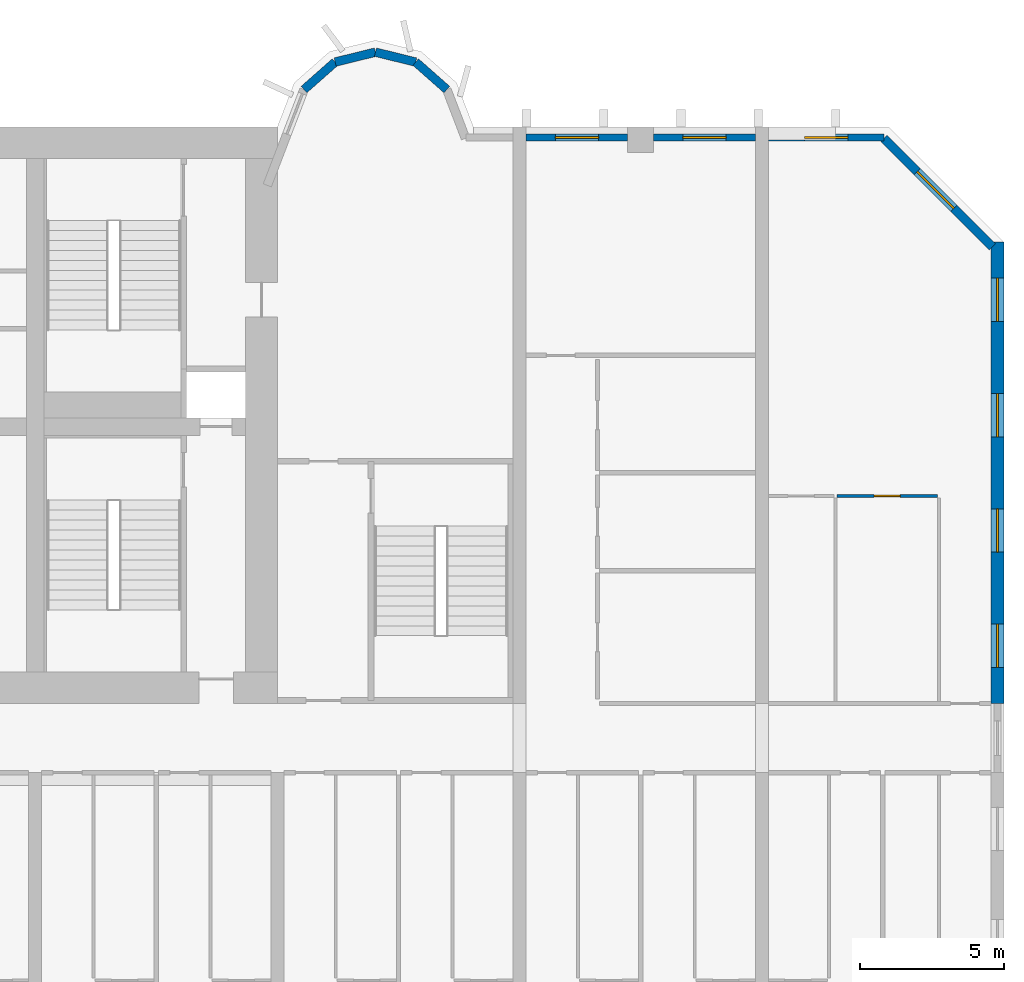
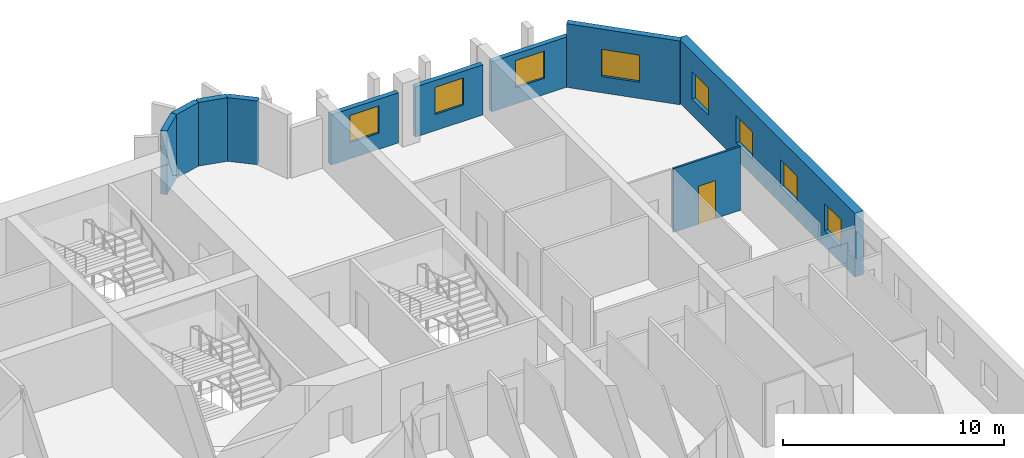
# One storey, part 11 of 15: 10 walls, 8 windows, 1 door, 9 openings.
"""IFC4 building model written with IfcOpenShell, lengths in metres."""

from ifc_helpers import new_model, si_unit, direction, frame, frame_2d, origin, place, context, subcontext, project, spatial, rectangle, extrude, source, transform, mapped, material, layer, layer_set, type_object, element, fill, save


model = new_model("IFC4")

# Units and contexts
model_context = context("Model", 3, precision=1e-05, world=origin(), true_north=direction((0.0, 1.0)))
body_context = subcontext(model_context, "Body", "Model", "MODEL_VIEW")
ifc_project = project(units=[si_unit("LENGTHUNIT", "METRE"), si_unit("AREAUNIT", "SQUARE_METRE"), si_unit("VOLUMEUNIT", "CUBIC_METRE"), si_unit("PLANEANGLEUNIT", "RADIAN"), si_unit("MASSUNIT", "GRAM", prefix="KILO")], contexts=[model_context])

# Site, building, storey
site_placement = place(None, origin())
site = spatial("IfcSite", under=ifc_project, at=site_placement, CompositionType="ELEMENT")
building_placement = place(site_placement, origin())
building = spatial("IfcBuilding", under=site, at=building_placement, Name="Vanashikhar Sky Hotel", CompositionType="ELEMENT")
storey_placement = place(building_placement, frame((0.0, 0.0, 31.60009765625)))
storey = spatial("IfcBuildingStorey", under=building, at=storey_placement, Name="L06", CompositionType="ELEMENT", Elevation=31.60009765625)

# Wall, openings, windows
ifc_material_1 = material(Name="Concrete M80", Category="concrete")
ifc_layer_1 = layer(ifc_material_1, 0.449951171875)
ifc_layer_set_1 = layer_set([ifc_layer_1], Name="RC shear wall 450 Concrete M80")
wall_type_1 = type_object("IfcWallType", Name="RC shear wall 450 Concrete M80", PredefinedType="SHEAR", material=ifc_layer_set_1)
shared_shape_1 = source(origin(), body_context, "Body", "SweptSolid", [
    extrude(rectangle(XDim=16.0, YDim=0.449951171875, at=frame_2d((8.0, 0.0))), origin(), (0.0, 0.0, 1.0), 3.52001953125),
])
wall_1_placement = place(storey_placement, frame((100.574951171875, 22.0, 0.0), z_axis=(0.0, 0.0, 1.0), x_axis=(0.0, 1.0, 0.0)))
wall_1 = element("IfcWall", 1, at=wall_1_placement, inside=storey, type_object=wall_type_1, Name="CW-L06-XW13-2", PredefinedType="SHEAR", context=body_context, shape_type="MappedRepresentation", body=[
    mapped(shared_shape_1, transform((0.0, 0.0, 0.0), scale=1.0)),
])
shared_shape_2 = source(origin(), body_context, "Body", "SweptSolid", [
    extrude(rectangle(XDim=1.5, YDim=1.5, at=frame_2d((0.75, 0.75))), frame((0.0, 0.23486328125, 0.0), z_axis=(0.0, -1.0, 0.0), x_axis=(1.0, 0.0, 0.0)), (0.0, 0.0, 1.0), 0.469970703125),
])
opening_1_placement = place(wall_1_placement, frame((1.25, 0.0, 0.89990234375)))
opening_1 = element("IfcOpeningElement", 2, at=opening_1_placement, cuts=wall_1, Name="Opening WN-1", PredefinedType="OPENING", context=body_context, shape_type="MappedRepresentation", body=[
    mapped(shared_shape_2, transform((0.0, 0.0, 0.0), scale=1.0)),
])
opening_2_placement = place(wall_1_placement, frame((5.25, 0.0, 0.89990234375)))
opening_2 = element("IfcOpeningElement", 3, at=opening_2_placement, cuts=wall_1, Name="Opening WN-1", PredefinedType="OPENING", context=body_context, shape_type="MappedRepresentation", body=[
    mapped(shared_shape_2, transform((0.0, 0.0, 0.0), scale=1.0)),
])
opening_3_placement = place(wall_1_placement, frame((9.25, 0.0, 0.89990234375)))
opening_3 = element("IfcOpeningElement", 4, at=opening_3_placement, cuts=wall_1, Name="Opening WN-1", PredefinedType="OPENING", context=body_context, shape_type="MappedRepresentation", body=[
    mapped(shared_shape_2, transform((0.0, 0.0, 0.0), scale=1.0)),
])
opening_4_placement = place(wall_1_placement, frame((13.25, 0.0, 0.89990234375)))
opening_4 = element("IfcOpeningElement", 5, at=opening_4_placement, cuts=wall_1, Name="Opening WN-1", PredefinedType="OPENING", context=body_context, shape_type="MappedRepresentation", body=[
    mapped(shared_shape_2, transform((0.0, 0.0, 0.0), scale=1.0)),
])
ifc_material_2 = material(Name="Glass", Category="glass")
window_type_1 = type_object("IfcWindowType", Name="Window 1500 x 1500", PartitioningType="SINGLE_PANEL", PredefinedType="WINDOW", material=ifc_material_2)
shared_shape_3 = source(origin(), body_context, "Body", "SweptSolid", [
    extrude(rectangle(XDim=1.5, YDim=1.5, at=frame_2d((0.75, 0.75))), frame((0.0, 0.030029296875, 0.0), z_axis=(0.0, -1.0, 0.0), x_axis=(1.0, 0.0, 0.0)), (0.0, 0.0, 1.0), 0.06005859375),
])
window_1_placement = place(opening_1_placement, origin())
window_1 = element("IfcWindow", 6, at=window_1_placement, inside=storey, type_object=window_type_1, Name="Window WN-1", OverallHeight=1.5, OverallWidth=1.5, PartitioningType="SINGLE_PANEL", PredefinedType="WINDOW", context=body_context, shape_type="MappedRepresentation", body=[
    mapped(shared_shape_3, transform((0.0, 0.0, 0.0), scale=1.0)),
])
fill(opening_1, window_1)
window_2_placement = place(opening_2_placement, origin())
window_2 = element("IfcWindow", 7, at=window_2_placement, inside=storey, type_object=window_type_1, Name="Window WN-1", OverallHeight=1.5, OverallWidth=1.5, PartitioningType="SINGLE_PANEL", PredefinedType="WINDOW", context=body_context, shape_type="MappedRepresentation", body=[
    mapped(shared_shape_3, transform((0.0, 0.0, 0.0), scale=1.0)),
])
fill(opening_2, window_2)
window_3_placement = place(opening_3_placement, origin())
window_3 = element("IfcWindow", 8, at=window_3_placement, inside=storey, type_object=window_type_1, Name="Window WN-1", OverallHeight=1.5, OverallWidth=1.5, PartitioningType="SINGLE_PANEL", PredefinedType="WINDOW", context=body_context, shape_type="MappedRepresentation", body=[
    mapped(shared_shape_3, transform((0.0, 0.0, 0.0), scale=1.0)),
])
fill(opening_3, window_3)
window_4_placement = place(opening_4_placement, origin())
window_4 = element("IfcWindow", 9, at=window_4_placement, inside=storey, type_object=window_type_1, Name="Window WN-1", OverallHeight=1.5, OverallWidth=1.5, PartitioningType="SINGLE_PANEL", PredefinedType="WINDOW", context=body_context, shape_type="MappedRepresentation", body=[
    mapped(shared_shape_3, transform((0.0, 0.0, 0.0), scale=1.0)),
])
fill(opening_4, window_4)

# Wall, opening, window
ifc_material_3 = material(Name="Concrete M50", Category="concrete")
ifc_layer_2 = layer(ifc_material_3, 0.300048828125)
ifc_layer_set_2 = layer_set([ifc_layer_2], Name="Lobe wall 300")
wall_type_2 = type_object("IfcWallType", Name="Lobe wall 300", PredefinedType="SOLIDWALL", material=ifc_layer_set_2)
shared_shape_4 = source(origin(), body_context, "Body", "SweptSolid", [
    extrude(rectangle(XDim=5.32568359375, YDim=0.300048828125, at=frame_2d((2.662841796875, 0.0))), origin(), (0.0, 0.0, 1.0), 3.52001953125),
])
wall_2_placement = place(storey_placement, frame((100.39990234375, 37.834228515625, 0.0), z_axis=(0.0, 0.0, 1.0), x_axis=(-0.707083859269, 0.707129702361, 0.0)))
wall_2 = element("IfcWall", 10, at=wall_2_placement, inside=storey, type_object=wall_type_2, Name="Corner wall", PredefinedType="SOLIDWALL", context=body_context, shape_type="MappedRepresentation", body=[
    mapped(shared_shape_4, transform((0.0, 0.0, 0.0), scale=1.0)),
])
shared_shape_5 = source(origin(), body_context, "Body", "SweptSolid", [
    extrude(rectangle(XDim=1.800048828125, YDim=1.5, at=frame_2d((0.89990234375, 0.75))), frame((0.0, 0.16015625, 0.0), z_axis=(0.0, -1.0, 0.0), x_axis=(1.0, 0.0, 0.0)), (0.0, 0.0, 1.0), 0.320068359375),
])
opening_5_placement = place(wall_2_placement, frame((1.888916015625, 0.0, 0.89990234375)))
opening_5 = element("IfcOpeningElement", 11, at=opening_5_placement, cuts=wall_2, Name="Opening WN-4", PredefinedType="OPENING", context=body_context, shape_type="MappedRepresentation", body=[
    mapped(shared_shape_5, transform((0.0, 0.0, 0.0), scale=1.0)),
])
window_type_2 = type_object("IfcWindowType", Name="Corner window 1800 x 1500", PartitioningType="SINGLE_PANEL", PredefinedType="WINDOW", material=ifc_material_2)
shared_shape_6 = source(origin(), body_context, "Body", "SweptSolid", [
    extrude(rectangle(XDim=1.800048828125, YDim=1.5, at=frame_2d((0.89990234375, 0.75))), frame((0.0, 0.030029296875, 0.0), z_axis=(0.0, -1.0, 0.0), x_axis=(1.0, 0.0, 0.0)), (0.0, 0.0, 1.0), 0.06005859375),
])
window_5_placement = place(opening_5_placement, origin())
window_5 = element("IfcWindow", 12, at=window_5_placement, inside=storey, type_object=window_type_2, Name="Window WN-4", OverallHeight=1.5, OverallWidth=1.800048828125, PartitioningType="SINGLE_PANEL", PredefinedType="WINDOW", context=body_context, shape_type="MappedRepresentation", body=[
    mapped(shared_shape_6, transform((0.0, 0.0, 0.0), scale=1.0)),
])
fill(opening_5, window_5)

ifc_layer_3 = layer(ifc_material_3, 0.25)
ifc_layer_set_3 = layer_set([ifc_layer_3], Name="Rear and end board-marked wall 250")
wall_type_3 = type_object("IfcWallType", Name="Rear and end board-marked wall 250", PredefinedType="SOLIDWALL", material=ifc_layer_set_3)
shared_shape_7 = source(origin(), body_context, "Body", "SweptSolid", [
    extrude(rectangle(XDim=4.019775390625, YDim=0.25, at=frame_2d((2.009765625, 0.0))), origin(), (0.0, 0.0, 1.0), 2.77001953125),
])
wall_3_placement = place(storey_placement, frame((96.644775390625, 41.625, 0.0), z_axis=(0.0, 0.0, 1.0), x_axis=(-1.0, 0.0, 0.0)))
wall_3 = element("IfcWall", 13, at=wall_3_placement, inside=storey, type_object=wall_type_3, Name="Rear board-marked wall", PredefinedType="SOLIDWALL", context=body_context, shape_type="MappedRepresentation", body=[
    mapped(shared_shape_7, transform((0.0, 0.0, 0.0), scale=1.0)),
])
shared_shape_8 = source(origin(), body_context, "Body", "SweptSolid", [
    extrude(rectangle(XDim=1.5, YDim=1.5, at=frame_2d((0.75, 0.75))), frame((0.0, 0.135009765625, 0.0), z_axis=(0.0, -1.0, 0.0), x_axis=(1.0, 0.0, 0.0)), (0.0, 0.0, 1.0), 0.27001953125),
])
opening_6_placement = place(wall_3_placement, frame((1.260009765625, 0.0, 0.89990234375)))
opening_6 = element("IfcOpeningElement", 14, at=opening_6_placement, cuts=wall_3, Name="Opening WN-1", PredefinedType="OPENING", context=body_context, shape_type="MappedRepresentation", body=[
    mapped(shared_shape_8, transform((0.0, 0.0, 0.0), scale=1.0)),
])
window_6_placement = place(opening_6_placement, origin())
window_6 = element("IfcWindow", 15, at=window_6_placement, inside=storey, type_object=window_type_1, Name="Window WN-1", OverallHeight=1.5, OverallWidth=1.5, PartitioningType="SINGLE_PANEL", PredefinedType="WINDOW", context=body_context, shape_type="MappedRepresentation", body=[
    mapped(shared_shape_3, transform((0.0, 0.0, 0.0), scale=1.0)),
])
fill(opening_6, window_6)

# Walls
shared_shape_9 = source(origin(), body_context, "Body", "SweptSolid", [
    extrude(rectangle(XDim=1.438720703125, YDim=0.300048828125, at=frame_2d((0.71923828125, 0.0))), origin(), (0.0, 0.0, 1.0), 3.52001953125),
])
for number, where, z_axis, x_axis, name in (
    (16, (80.397216796875, 44.2451171875, 0.0), (0.0, 0.0, 1.0), (-0.971161932466, 0.238420848351, 0.0), "Lobe wall"),
    (17, (79.0, 44.588134765625, 0.0), (0.0, 0.0, 1.0), (-0.971161932466, -0.238420848351, 0.0), "Lobe wall"),
):
    element("IfcWall", number, at=place(storey_placement, frame(where, z_axis=z_axis, x_axis=x_axis)), inside=storey, type_object=wall_type_2, Name=name, PredefinedType="SOLIDWALL", context=body_context, shape_type="MappedRepresentation", body=[
        mapped(shared_shape_9, transform((0.0, 0.0, 0.0), scale=1.0)),
    ])
shared_shape_10 = source(origin(), body_context, "Body", "SweptSolid", [
    extrude(rectangle(XDim=1.43994140625, YDim=0.300048828125, at=frame_2d((0.719970703125, 0.0))), origin(), (0.0, 0.0, 1.0), 3.52001953125),
])
for number, where, z_axis, x_axis, name in (
    (18, (81.4765625, 43.2919921875, 0.0), (0.0, 0.0, 1.0), (-0.74957555648, 0.661918790432, 0.0), "Lobe wall"),
    (19, (77.602783203125, 44.2451171875, 0.0), (0.0, 0.0, 1.0), (-0.74957555648, -0.661918790432, 0.0), "Lobe wall"),
):
    element("IfcWall", number, at=place(storey_placement, frame(where, z_axis=z_axis, x_axis=x_axis)), inside=storey, type_object=wall_type_2, Name=name, PredefinedType="SOLIDWALL", context=body_context, shape_type="MappedRepresentation", body=[
        mapped(shared_shape_10, transform((0.0, 0.0, 0.0), scale=1.0)),
    ])

# Wall, opening, window
shared_shape_11 = source(origin(), body_context, "Body", "SweptSolid", [
    extrude(rectangle(XDim=3.52490234375, YDim=0.25, at=frame_2d((1.762451171875, 0.0))), origin(), (0.0, 0.0, 1.0), 2.77001953125),
])
wall_4_placement = place(storey_placement, frame((87.75, 41.625, 0.0), z_axis=(0.0, 0.0, 1.0), x_axis=(-1.0, 0.0, 0.0)))
wall_4 = element("IfcWall", 20, at=wall_4_placement, inside=storey, type_object=wall_type_3, Name="Rear board-marked wall", PredefinedType="SOLIDWALL", context=body_context, shape_type="MappedRepresentation", body=[
    mapped(shared_shape_11, transform((0.0, 0.0, 0.0), scale=1.0)),
])
opening_7_placement = place(wall_4_placement, frame((1.012451171875, 0.0, 0.89990234375)))
opening_7 = element("IfcOpeningElement", 21, at=opening_7_placement, cuts=wall_4, Name="Opening WN-1", PredefinedType="OPENING", context=body_context, shape_type="MappedRepresentation", body=[
    mapped(shared_shape_8, transform((0.0, 0.0, 0.0), scale=1.0)),
])
window_7_placement = place(opening_7_placement, origin())
window_7 = element("IfcWindow", 22, at=window_7_placement, inside=storey, type_object=window_type_1, Name="Window WN-1", OverallHeight=1.5, OverallWidth=1.5, PartitioningType="SINGLE_PANEL", PredefinedType="WINDOW", context=body_context, shape_type="MappedRepresentation", body=[
    mapped(shared_shape_3, transform((0.0, 0.0, 0.0), scale=1.0)),
])
fill(opening_7, window_7)

shared_shape_12 = source(origin(), body_context, "Body", "SweptSolid", [
    extrude(rectangle(XDim=3.525146484375, YDim=0.25, at=frame_2d((1.7626953125, 0.0))), origin(), (0.0, 0.0, 1.0), 2.77001953125),
])
wall_5_placement = place(storey_placement, frame((92.175048828125, 41.625, 0.0), z_axis=(0.0, 0.0, 1.0), x_axis=(-1.0, 0.0, 0.0)))
wall_5 = element("IfcWall", 23, at=wall_5_placement, inside=storey, type_object=wall_type_3, Name="Rear board-marked wall", PredefinedType="SOLIDWALL", context=body_context, shape_type="MappedRepresentation", body=[
    mapped(shared_shape_12, transform((0.0, 0.0, 0.0), scale=1.0)),
])
opening_8_placement = place(wall_5_placement, frame((1.012451171875, 0.0, 0.89990234375)))
opening_8 = element("IfcOpeningElement", 24, at=opening_8_placement, cuts=wall_5, Name="Opening WN-1", PredefinedType="OPENING", context=body_context, shape_type="MappedRepresentation", body=[
    mapped(shared_shape_8, transform((0.0, 0.0, 0.0), scale=1.0)),
])
window_8_placement = place(opening_8_placement, origin())
window_8 = element("IfcWindow", 25, at=window_8_placement, inside=storey, type_object=window_type_1, Name="Window WN-1", OverallHeight=1.5, OverallWidth=1.5, PartitioningType="SINGLE_PANEL", PredefinedType="WINDOW", context=body_context, shape_type="MappedRepresentation", body=[
    mapped(shared_shape_3, transform((0.0, 0.0, 0.0), scale=1.0)),
])
fill(opening_8, window_8)

# Wall, opening, door
ifc_material_4 = material(Name="Gypsum plasterboard partition")
ifc_layer_4 = layer(ifc_material_4, 0.10009765625)
ifc_layer_set_4 = layer_set([ifc_layer_4], Name="Wet room partition 100")
wall_type_4 = type_object("IfcWallType", Name="Wet room partition 100", PredefinedType="PARTITIONING", material=ifc_layer_set_4)
shared_shape_13 = source(origin(), body_context, "Body", "SweptSolid", [
    extrude(rectangle(XDim=3.5, YDim=0.10009765625, at=frame_2d((1.75, 0.0))), origin(), (0.0, 0.0, 1.0), 3.52001953125),
])
wall_6_placement = place(storey_placement, frame((95.0, 29.199951171875, 0.0), z_axis=(0.0, 0.0, 1.0), x_axis=(1.0, 0.0, 0.0)))
wall_6 = element("IfcWall", 26, at=wall_6_placement, inside=storey, type_object=wall_type_4, Name="W-L06-PW110", PredefinedType="PARTITIONING", context=body_context, shape_type="MappedRepresentation", body=[
    mapped(shared_shape_13, transform((0.0, 0.0, 0.0), scale=1.0)),
])
shared_shape_14 = source(origin(), body_context, "Body", "SweptSolid", [
    extrude(rectangle(XDim=0.89990234375, YDim=2.10009765625, at=frame_2d((0.449951171875, 1.050048828125))), frame((0.0, 0.06005859375, 0.0), z_axis=(0.0, -1.0, 0.0), x_axis=(1.0, 0.0, 0.0)), (0.0, 0.0, 1.0), 0.1201171875),
])
opening_9_placement = place(wall_6_placement, frame((1.300048828125, 0.0, 0.0)))
opening_9 = element("IfcOpeningElement", 27, at=opening_9_placement, cuts=wall_6, Name="Opening D-02", PredefinedType="OPENING", context=body_context, shape_type="MappedRepresentation", body=[
    mapped(shared_shape_14, transform((0.0, 0.0, 0.0), scale=1.0)),
])
ifc_material_5 = material(Name="Timber door", Category="wood")
door_type = type_object("IfcDoorType", Name="Internal door 900", OperationType="NOTDEFINED", PredefinedType="DOOR", material=ifc_material_5)
shared_shape_15 = source(origin(), body_context, "Body", "SweptSolid", [
    extrude(rectangle(XDim=0.89990234375, YDim=2.10009765625, at=frame_2d((0.449951171875, 1.050048828125))), frame((0.0, 0.02490234375, 0.0), z_axis=(0.0, -1.0, 0.0), x_axis=(1.0, 0.0, 0.0)), (0.0, 0.0, 1.0), 0.050048828125),
])
door_placement = place(opening_9_placement, origin())
door = element("IfcDoor", 28, at=door_placement, inside=storey, type_object=door_type, Name="D-L06-061", OperationType="SINGLE_SWING_RIGHT", OverallHeight=2.10009765625, OverallWidth=0.89990234375, PredefinedType="DOOR", context=body_context, shape_type="MappedRepresentation", body=[
    mapped(shared_shape_15, transform((0.0, 0.0, 0.0), scale=1.0)),
])
fill(opening_9, door)

save(model, "model.ifc")
